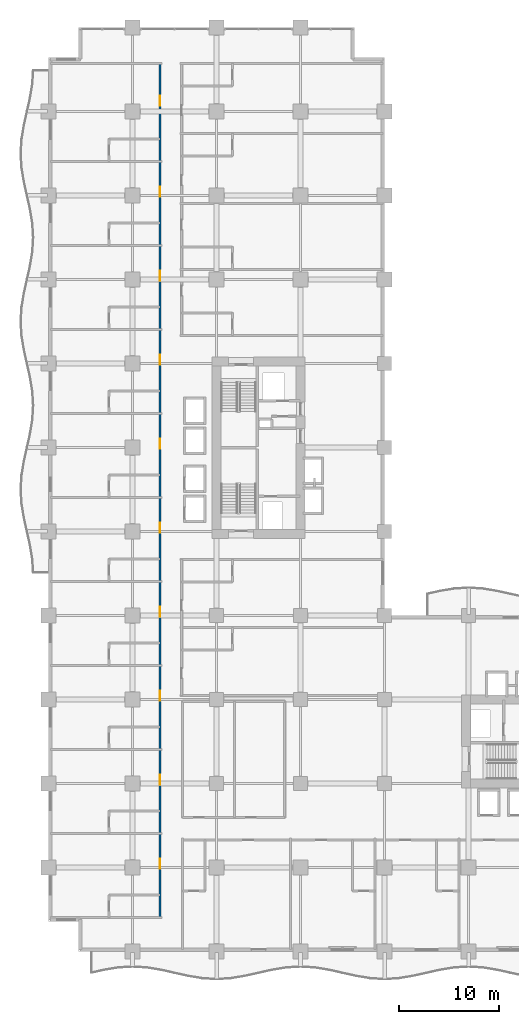
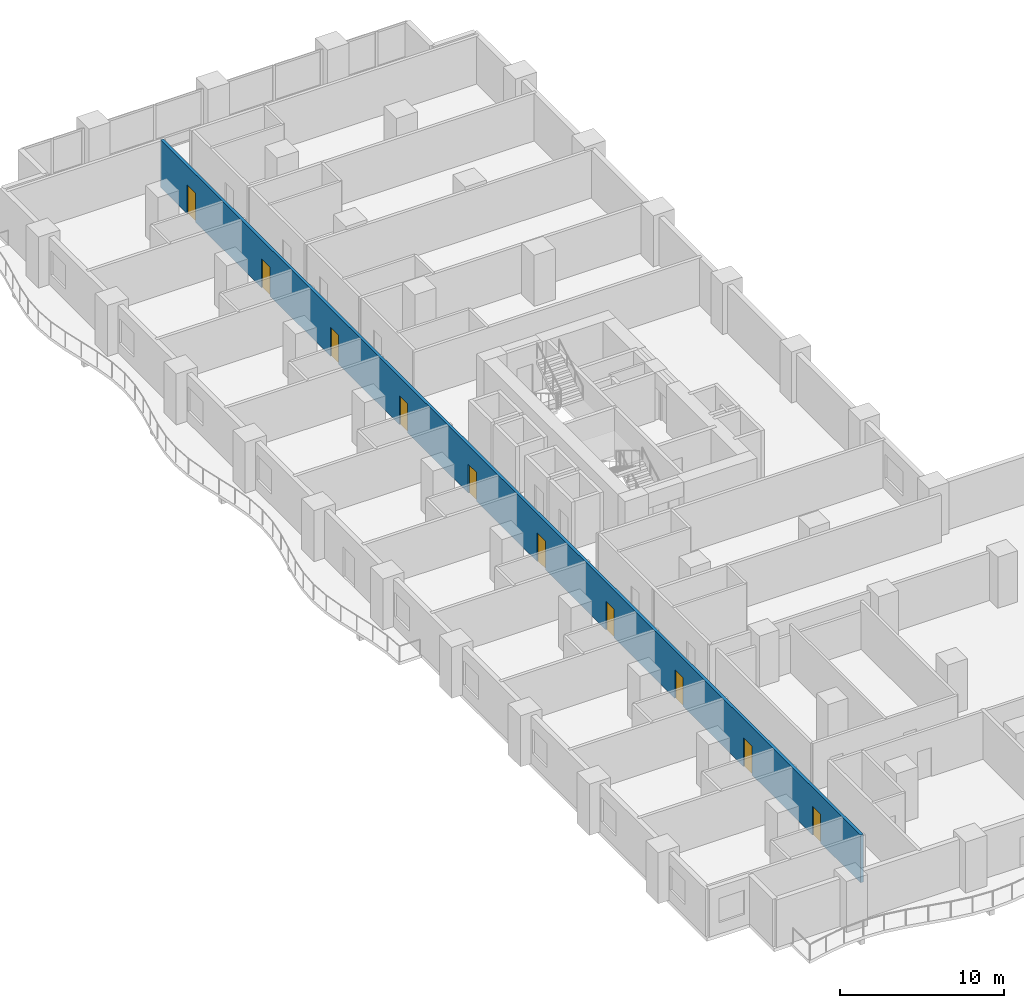
# One storey, part 13 of 23: 10 doors, 1 wall, 10 openings.
"""IFC4 building model written with IfcOpenShell, lengths in metres."""

from ifc_helpers import new_model, si_unit, direction, frame, frame_2d, origin, place, context, subcontext, project, spatial, rectangle, extrude, material, layer, layer_set, type_object, element, fill, save


model = new_model("IFC4")

# Units and contexts
model_context = context("Model", 3, precision=1e-05, world=origin(), true_north=direction((0.0, 1.0)))
body_context = subcontext(model_context, "Body", "Model", "MODEL_VIEW")
ifc_project = project(units=[si_unit("LENGTHUNIT", "METRE"), si_unit("AREAUNIT", "SQUARE_METRE"), si_unit("VOLUMEUNIT", "CUBIC_METRE"), si_unit("PLANEANGLEUNIT", "RADIAN"), si_unit("MASSUNIT", "GRAM", prefix="KILO")], contexts=[model_context])

# Site, building, storey
site_placement = place(None, origin())
site = spatial("IfcSite", under=ifc_project, at=site_placement, CompositionType="ELEMENT")
building_placement = place(site_placement, origin())
building = spatial("IfcBuilding", under=site, at=building_placement, Name="Koriwani Terraces Tower", CompositionType="ELEMENT")
storey_placement = place(building_placement, frame((0.0, 0.0, 32.0)))
storey = spatial("IfcBuildingStorey", under=building, at=storey_placement, Name="L06", CompositionType="ELEMENT", Elevation=32.0)

# Wall, openings, doors
ifc_material_1 = material(Name="Autoclaved Cellular Concrete Blockwork", Category="masonry")
ifc_layer = layer(ifc_material_1, 0.199951171875, Name="Autoclaved Cellular Concrete Blockwork")
ifc_layer_set = layer_set([ifc_layer], Name="Autoclaved Cellular Concrete Blockwork")
wall_type = type_object("IfcWallType", Name="WALL_CORRIDOR_200", PredefinedType="PARTITIONING", material=ifc_layer_set)
wall_placement = place(storey_placement, frame((11.14990234375, 3.39990234375, 0.0), z_axis=(0.0, 0.0, 1.0), x_axis=(0.0, 1.0, 0.0)))
wall = element("IfcWall", 1, at=wall_placement, inside=storey, type_object=wall_type, Name="L06 Interior Wall WCOR-L06-NW-0", PredefinedType="PARTITIONING", context=body_context, shape_type="SweptSolid", body=[
    extrude(rectangle(XDim=85.400146484375, YDim=0.199951171875, at=frame_2d((42.7001953125, 0.0))), origin(), (0.0, 0.0, 1.0), 3.550048828125),
])
opening_1_placement = place(wall_placement, frame((4.864990234375, 0.0, 0.0)))
opening_1 = element("IfcOpeningElement", 2, at=opening_1_placement, cuts=wall, Name="Opening D-05", PredefinedType="OPENING", context=body_context, shape_type="SweptSolid", body=[
    extrude(rectangle(XDim=1.0, YDim=2.14990234375, at=frame_2d((0.5, 1.074951171875))), frame((0.0, 0.10986328125, 0.0), z_axis=(0.0, -1.0, 0.0), x_axis=(1.0, 0.0, 0.0)), (0.0, 0.0, 1.0), 0.219970703125),
])
opening_2_placement = place(wall_placement, frame((13.264892578125, 0.0, 0.0)))
opening_2 = element("IfcOpeningElement", 3, at=opening_2_placement, cuts=wall, Name="Opening D-05", PredefinedType="OPENING", context=body_context, shape_type="SweptSolid", body=[
    extrude(rectangle(XDim=1.0, YDim=2.14990234375, at=frame_2d((0.5, 1.074951171875))), frame((0.0, 0.10986328125, 0.0), z_axis=(0.0, -1.0, 0.0), x_axis=(1.0, 0.0, 0.0)), (0.0, 0.0, 1.0), 0.219970703125),
])
opening_3_placement = place(wall_placement, frame((21.6650390625, 0.0, 0.0)))
opening_3 = element("IfcOpeningElement", 4, at=opening_3_placement, cuts=wall, Name="Opening D-05", PredefinedType="OPENING", context=body_context, shape_type="SweptSolid", body=[
    extrude(rectangle(XDim=1.0, YDim=2.14990234375, at=frame_2d((0.5, 1.074951171875))), frame((0.0, 0.10986328125, 0.0), z_axis=(0.0, -1.0, 0.0), x_axis=(1.0, 0.0, 0.0)), (0.0, 0.0, 1.0), 0.219970703125),
])
opening_4_placement = place(wall_placement, frame((30.06494140625, 0.0, 0.0)))
opening_4 = element("IfcOpeningElement", 5, at=opening_4_placement, cuts=wall, Name="Opening D-05", PredefinedType="OPENING", context=body_context, shape_type="SweptSolid", body=[
    extrude(rectangle(XDim=1.0, YDim=2.14990234375, at=frame_2d((0.5, 1.074951171875))), frame((0.0, 0.10986328125, 0.0), z_axis=(0.0, -1.0, 0.0), x_axis=(1.0, 0.0, 0.0)), (0.0, 0.0, 1.0), 0.219970703125),
])
opening_5_placement = place(wall_placement, frame((38.465087890625, 0.0, 0.0)))
opening_5 = element("IfcOpeningElement", 6, at=opening_5_placement, cuts=wall, Name="Opening D-05", PredefinedType="OPENING", context=body_context, shape_type="SweptSolid", body=[
    extrude(rectangle(XDim=1.0, YDim=2.14990234375, at=frame_2d((0.5, 1.074951171875))), frame((0.0, 0.10986328125, 0.0), z_axis=(0.0, -1.0, 0.0), x_axis=(1.0, 0.0, 0.0)), (0.0, 0.0, 1.0), 0.219970703125),
])
opening_6_placement = place(wall_placement, frame((46.864990234375, 0.0, 0.0)))
opening_6 = element("IfcOpeningElement", 7, at=opening_6_placement, cuts=wall, Name="Opening D-05", PredefinedType="OPENING", context=body_context, shape_type="SweptSolid", body=[
    extrude(rectangle(XDim=1.0, YDim=2.14990234375, at=frame_2d((0.5, 1.074951171875))), frame((0.0, 0.10986328125, 0.0), z_axis=(0.0, -1.0, 0.0), x_axis=(1.0, 0.0, 0.0)), (0.0, 0.0, 1.0), 0.219970703125),
])
opening_7_placement = place(wall_placement, frame((55.264892578125, 0.0, 0.0)))
opening_7 = element("IfcOpeningElement", 8, at=opening_7_placement, cuts=wall, Name="Opening D-05", PredefinedType="OPENING", context=body_context, shape_type="SweptSolid", body=[
    extrude(rectangle(XDim=1.0, YDim=2.14990234375, at=frame_2d((0.5, 1.074951171875))), frame((0.0, 0.10986328125, 0.0), z_axis=(0.0, -1.0, 0.0), x_axis=(1.0, 0.0, 0.0)), (0.0, 0.0, 1.0), 0.219970703125),
])
opening_8_placement = place(wall_placement, frame((63.6650390625, 0.0, 0.0)))
opening_8 = element("IfcOpeningElement", 9, at=opening_8_placement, cuts=wall, Name="Opening D-05", PredefinedType="OPENING", context=body_context, shape_type="SweptSolid", body=[
    extrude(rectangle(XDim=1.0, YDim=2.14990234375, at=frame_2d((0.5, 1.074951171875))), frame((0.0, 0.10986328125, 0.0), z_axis=(0.0, -1.0, 0.0), x_axis=(1.0, 0.0, 0.0)), (0.0, 0.0, 1.0), 0.219970703125),
])
opening_9_placement = place(wall_placement, frame((72.06494140625, 0.0, 0.0)))
opening_9 = element("IfcOpeningElement", 10, at=opening_9_placement, cuts=wall, Name="Opening D-05", PredefinedType="OPENING", context=body_context, shape_type="SweptSolid", body=[
    extrude(rectangle(XDim=1.0, YDim=2.14990234375, at=frame_2d((0.5, 1.074951171875))), frame((0.0, 0.10986328125, 0.0), z_axis=(0.0, -1.0, 0.0), x_axis=(1.0, 0.0, 0.0)), (0.0, 0.0, 1.0), 0.219970703125),
])
opening_10_placement = place(wall_placement, frame((81.1650390625, 0.0, 0.0)))
opening_10 = element("IfcOpeningElement", 11, at=opening_10_placement, cuts=wall, Name="Opening D-05", PredefinedType="OPENING", context=body_context, shape_type="SweptSolid", body=[
    extrude(rectangle(XDim=1.0, YDim=2.14990234375, at=frame_2d((0.5, 1.074951171875))), frame((0.0, 0.10986328125, 0.0), z_axis=(0.0, -1.0, 0.0), x_axis=(1.0, 0.0, 0.0)), (0.0, 0.0, 1.0), 0.219970703125),
])
ifc_material_2 = material(Name="Architectural Oak Fire Door", Category="wood")
door_type = type_object("IfcDoorType", Name="DOOR_SUITE_ENTRY_1000X2150", OperationType="NOTDEFINED", PredefinedType="DOOR", material=ifc_material_2)
door_1_placement = place(opening_1_placement, origin())
door_1 = element("IfcDoor", 12, at=door_1_placement, inside=storey, type_object=door_type, Name="Luxury Hotel Suite 06NW1 Entrance Door", OperationType="SINGLE_SWING_RIGHT", OverallHeight=2.14990234375, OverallWidth=1.0, PredefinedType="DOOR", context=body_context, shape_type="SweptSolid", body=[
    extrude(rectangle(XDim=1.0, YDim=2.14990234375, at=frame_2d((0.5, 1.074951171875))), frame((0.0, 0.02490234375, 0.0), z_axis=(0.0, -1.0, 0.0), x_axis=(1.0, 0.0, 0.0)), (0.0, 0.0, 1.0), 0.050048828125),
])
fill(opening_1, door_1)
door_2_placement = place(opening_2_placement, origin())
door_2 = element("IfcDoor", 13, at=door_2_placement, inside=storey, type_object=door_type, Name="Luxury Hotel Suite 06NW2 Entrance Door", OperationType="SINGLE_SWING_RIGHT", OverallHeight=2.14990234375, OverallWidth=1.0, PredefinedType="DOOR", context=body_context, shape_type="SweptSolid", body=[
    extrude(rectangle(XDim=1.0, YDim=2.14990234375, at=frame_2d((0.5, 1.074951171875))), frame((0.0, 0.02490234375, 0.0), z_axis=(0.0, -1.0, 0.0), x_axis=(1.0, 0.0, 0.0)), (0.0, 0.0, 1.0), 0.050048828125),
])
fill(opening_2, door_2)
door_3_placement = place(opening_3_placement, origin())
door_3 = element("IfcDoor", 14, at=door_3_placement, inside=storey, type_object=door_type, Name="Luxury Hotel Suite 06NW3 Entrance Door", OperationType="SINGLE_SWING_RIGHT", OverallHeight=2.14990234375, OverallWidth=1.0, PredefinedType="DOOR", context=body_context, shape_type="SweptSolid", body=[
    extrude(rectangle(XDim=1.0, YDim=2.14990234375, at=frame_2d((0.5, 1.074951171875))), frame((0.0, 0.02490234375, 0.0), z_axis=(0.0, -1.0, 0.0), x_axis=(1.0, 0.0, 0.0)), (0.0, 0.0, 1.0), 0.050048828125),
])
fill(opening_3, door_3)
door_4_placement = place(opening_4_placement, origin())
door_4 = element("IfcDoor", 15, at=door_4_placement, inside=storey, type_object=door_type, Name="Luxury Hotel Suite 06NW4 Entrance Door", OperationType="SINGLE_SWING_RIGHT", OverallHeight=2.14990234375, OverallWidth=1.0, PredefinedType="DOOR", context=body_context, shape_type="SweptSolid", body=[
    extrude(rectangle(XDim=1.0, YDim=2.14990234375, at=frame_2d((0.5, 1.074951171875))), frame((0.0, 0.02490234375, 0.0), z_axis=(0.0, -1.0, 0.0), x_axis=(1.0, 0.0, 0.0)), (0.0, 0.0, 1.0), 0.050048828125),
])
fill(opening_4, door_4)
door_5_placement = place(opening_5_placement, origin())
door_5 = element("IfcDoor", 16, at=door_5_placement, inside=storey, type_object=door_type, Name="Luxury Hotel Suite 06NW5 Entrance Door", OperationType="SINGLE_SWING_RIGHT", OverallHeight=2.14990234375, OverallWidth=1.0, PredefinedType="DOOR", context=body_context, shape_type="SweptSolid", body=[
    extrude(rectangle(XDim=1.0, YDim=2.14990234375, at=frame_2d((0.5, 1.074951171875))), frame((0.0, 0.02490234375, 0.0), z_axis=(0.0, -1.0, 0.0), x_axis=(1.0, 0.0, 0.0)), (0.0, 0.0, 1.0), 0.050048828125),
])
fill(opening_5, door_5)
door_6_placement = place(opening_6_placement, origin())
door_6 = element("IfcDoor", 17, at=door_6_placement, inside=storey, type_object=door_type, Name="Luxury Hotel Suite 06NW6 Entrance Door", OperationType="SINGLE_SWING_RIGHT", OverallHeight=2.14990234375, OverallWidth=1.0, PredefinedType="DOOR", context=body_context, shape_type="SweptSolid", body=[
    extrude(rectangle(XDim=1.0, YDim=2.14990234375, at=frame_2d((0.5, 1.074951171875))), frame((0.0, 0.02490234375, 0.0), z_axis=(0.0, -1.0, 0.0), x_axis=(1.0, 0.0, 0.0)), (0.0, 0.0, 1.0), 0.050048828125),
])
fill(opening_6, door_6)
door_7_placement = place(opening_7_placement, origin())
door_7 = element("IfcDoor", 18, at=door_7_placement, inside=storey, type_object=door_type, Name="Luxury Hotel Suite 06NW7 Entrance Door", OperationType="SINGLE_SWING_RIGHT", OverallHeight=2.14990234375, OverallWidth=1.0, PredefinedType="DOOR", context=body_context, shape_type="SweptSolid", body=[
    extrude(rectangle(XDim=1.0, YDim=2.14990234375, at=frame_2d((0.5, 1.074951171875))), frame((0.0, 0.02490234375, 0.0), z_axis=(0.0, -1.0, 0.0), x_axis=(1.0, 0.0, 0.0)), (0.0, 0.0, 1.0), 0.050048828125),
])
fill(opening_7, door_7)
door_8_placement = place(opening_8_placement, origin())
door_8 = element("IfcDoor", 19, at=door_8_placement, inside=storey, type_object=door_type, Name="Luxury Hotel Suite 06NW8 Entrance Door", OperationType="SINGLE_SWING_RIGHT", OverallHeight=2.14990234375, OverallWidth=1.0, PredefinedType="DOOR", context=body_context, shape_type="SweptSolid", body=[
    extrude(rectangle(XDim=1.0, YDim=2.14990234375, at=frame_2d((0.5, 1.074951171875))), frame((0.0, 0.02490234375, 0.0), z_axis=(0.0, -1.0, 0.0), x_axis=(1.0, 0.0, 0.0)), (0.0, 0.0, 1.0), 0.050048828125),
])
fill(opening_8, door_8)
door_9_placement = place(opening_9_placement, origin())
door_9 = element("IfcDoor", 20, at=door_9_placement, inside=storey, type_object=door_type, Name="Luxury Hotel Suite 06NW9 Entrance Door", OperationType="SINGLE_SWING_RIGHT", OverallHeight=2.14990234375, OverallWidth=1.0, PredefinedType="DOOR", context=body_context, shape_type="SweptSolid", body=[
    extrude(rectangle(XDim=1.0, YDim=2.14990234375, at=frame_2d((0.5, 1.074951171875))), frame((0.0, 0.02490234375, 0.0), z_axis=(0.0, -1.0, 0.0), x_axis=(1.0, 0.0, 0.0)), (0.0, 0.0, 1.0), 0.050048828125),
])
fill(opening_9, door_9)
door_10_placement = place(opening_10_placement, origin())
door_10 = element("IfcDoor", 21, at=door_10_placement, inside=storey, type_object=door_type, Name="Luxury Hotel Suite 06NW10 Entrance Door", OperationType="SINGLE_SWING_RIGHT", OverallHeight=2.14990234375, OverallWidth=1.0, PredefinedType="DOOR", context=body_context, shape_type="SweptSolid", body=[
    extrude(rectangle(XDim=1.0, YDim=2.14990234375, at=frame_2d((0.5, 1.074951171875))), frame((0.0, 0.02490234375, 0.0), z_axis=(0.0, -1.0, 0.0), x_axis=(1.0, 0.0, 0.0)), (0.0, 0.0, 1.0), 0.050048828125),
])
fill(opening_10, door_10)

save(model, "model.ifc")
